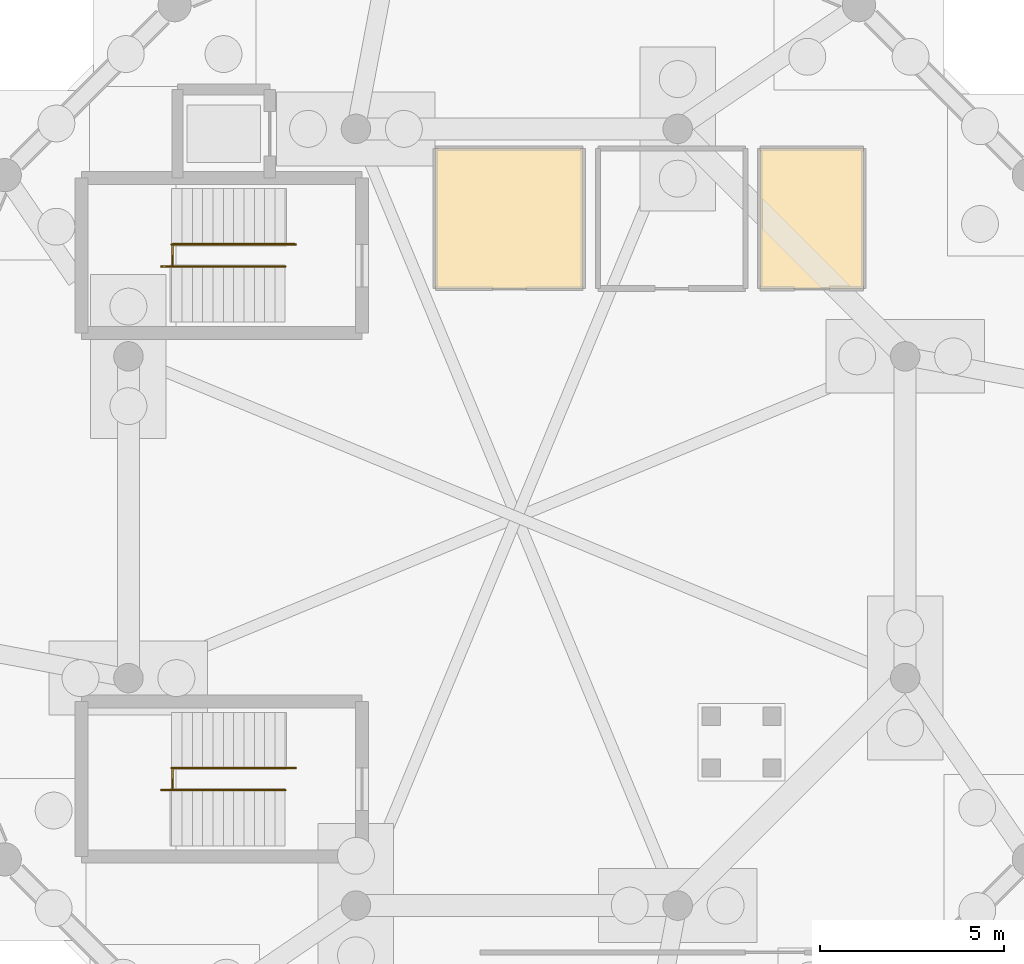
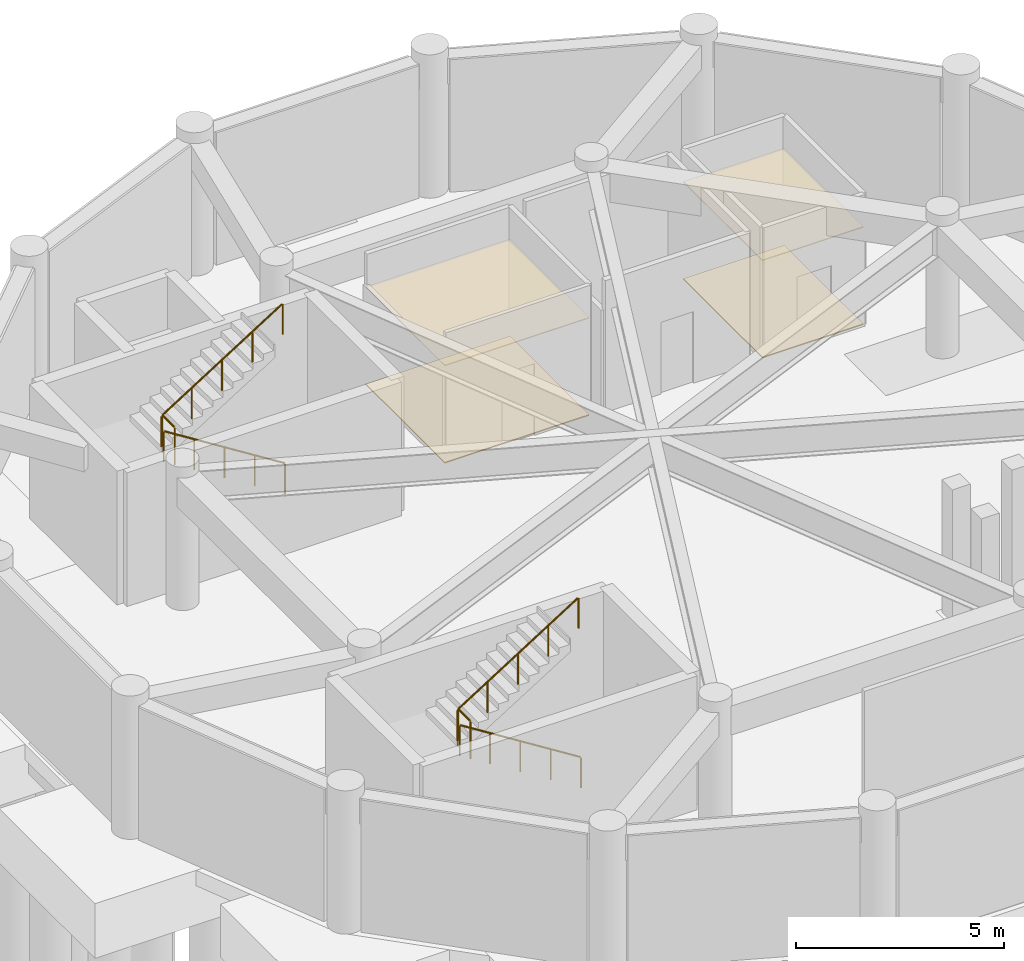
# One storey, part 35 of 38: 6 railings, 4 coverings.
"""IFC4 building model written with IfcOpenShell, lengths in metres."""

from ifc_helpers import new_model, si_unit, direction, frame, origin, origin_2d, place, context, subcontext, project, spatial, polyline, circle, outline, extrude, material, layer, layer_set, type_object, element, save


model = new_model("IFC4")

# Units and contexts
model_context = context("Model", 3, precision=1e-05, world=origin(), true_north=direction((0.0, 1.0)))
body_context = subcontext(model_context, "Body", "Model", "MODEL_VIEW")
ifc_project = project(units=[si_unit("LENGTHUNIT", "METRE"), si_unit("AREAUNIT", "SQUARE_METRE"), si_unit("VOLUMEUNIT", "CUBIC_METRE"), si_unit("PLANEANGLEUNIT", "RADIAN"), si_unit("MASSUNIT", "GRAM", prefix="KILO"), si_unit("THERMODYNAMICTEMPERATUREUNIT", "KELVIN"), si_unit("POWERUNIT", "WATT")], contexts=[model_context])

# Site, building, storey
site_placement = place(None, origin())
site = spatial("IfcSite", under=ifc_project, at=site_placement, CompositionType="ELEMENT")
building_placement = place(site_placement, origin())
building = spatial("IfcBuilding", under=site, at=building_placement, Name="Darbajah Civic Hall", CompositionType="ELEMENT")
storey_placement = place(building_placement, frame((0.0, 0.0, -4.199951171875)))
storey = spatial("IfcBuildingStorey", under=building, at=storey_placement, Name="B01", CompositionType="ELEMENT", Elevation=-4.199951171875)

# Railings
ifc_material_1 = material(Name="Brushed Bronze Stainless Steel", Category="steel")
railing_type_1 = type_object("IfcRailingType", Name="Brushed Bronze Handrail", PredefinedType="HANDRAIL", material=ifc_material_1)
railing_1_placement = place(storey_placement, frame((10.52001953125, 88.39990234375, 0.175048828125)))
element("IfcRailing", 1, at=railing_1_placement, inside=storey, type_object=railing_type_1, Name="ST04 B01 lower flight handrail", PredefinedType="HANDRAIL", context=body_context, shape_type="SweptSolid", body=[
    extrude(circle(Radius=0.02392578125, at=origin_2d()), frame((-0.023193359375, 0.0, 0.910400390625), z_axis=(-0.845972016735, 0.0, 0.533227293844), x_axis=(0.0, -1.0, 0.0)), (0.0, 0.0, 1.0), 3.917236328125),
    extrude(circle(Radius=0.02099609375, at=origin_2d()), origin(), (0.0, 0.0, 1.0), 0.867919921875),
    extrude(circle(Radius=0.02099609375, at=origin_2d()), frame((-0.840087890625, 0.0, 0.529541015625)), (0.0, 0.0, 1.0), 0.867919921875),
    extrude(circle(Radius=0.02099609375, at=origin_2d()), frame((-1.68017578125, 0.0, 1.05908203125)), (0.0, 0.0, 1.0), 0.867919921875),
    extrude(circle(Radius=0.02099609375, at=origin_2d()), frame((-2.52001953125, 0.0, 1.58837890625)), (0.0, 0.0, 1.0), 0.867919921875),
    extrude(circle(Radius=0.02099609375, at=origin_2d()), frame((-3.360107421875, 0.0, 2.117919921875)), (0.0, 0.0, 1.0), 0.867919921875),
])
railing_2_placement = place(storey_placement, frame((7.43994140625, 89.0, 2.27490234375)))
element("IfcRailing", 2, at=railing_2_placement, inside=storey, type_object=railing_type_1, Name="ST04 B01 upper flight handrail", PredefinedType="HANDRAIL", context=body_context, shape_type="SweptSolid", body=[
    extrude(circle(Radius=0.02392578125, at=origin_2d()), frame((0.023193359375, 0.0, 0.910400390625), z_axis=(0.845944288966, 0.0, 0.533271281775), x_axis=(0.0, 1.0, 0.0)), (0.0, 0.0, 1.0), 3.91748046875),
    extrude(circle(Radius=0.02099609375, at=origin_2d()), origin(), (0.0, 0.0, 1.0), 0.867919921875),
    extrude(circle(Radius=0.02099609375, at=origin_2d()), frame((0.840087890625, 0.0, 0.529541015625)), (0.0, 0.0, 1.0), 0.867919921875),
    extrude(circle(Radius=0.02099609375, at=origin_2d()), frame((1.68017578125, 0.0, 1.05908203125)), (0.0, 0.0, 1.0), 0.867919921875),
    extrude(circle(Radius=0.02099609375, at=origin_2d()), frame((2.52001953125, 0.0, 1.588623046875)), (0.0, 0.0, 1.0), 0.867919921875),
    extrude(circle(Radius=0.02099609375, at=origin_2d()), frame((3.360107421875, 0.0, 2.1181640625)), (0.0, 0.0, 1.0), 0.867919921875),
])
railing_3_placement = place(storey_placement, frame((10.52001953125, 74.199951171875, 0.175048828125)))
element("IfcRailing", 3, at=railing_3_placement, inside=storey, type_object=railing_type_1, Name="ST05 B01 lower flight handrail", PredefinedType="HANDRAIL", context=body_context, shape_type="SweptSolid", body=[
    extrude(circle(Radius=0.02392578125, at=origin_2d()), frame((-0.023193359375, 0.0, 0.910400390625), z_axis=(-0.845972016735, 0.0, 0.533227293844), x_axis=(0.0, -1.0, 0.0)), (0.0, 0.0, 1.0), 3.917236328125),
    extrude(circle(Radius=0.02099609375, at=origin_2d()), origin(), (0.0, 0.0, 1.0), 0.867919921875),
    extrude(circle(Radius=0.02099609375, at=origin_2d()), frame((-0.840087890625, 0.0, 0.529541015625)), (0.0, 0.0, 1.0), 0.867919921875),
    extrude(circle(Radius=0.02099609375, at=origin_2d()), frame((-1.68017578125, 0.0, 1.05908203125)), (0.0, 0.0, 1.0), 0.867919921875),
    extrude(circle(Radius=0.02099609375, at=origin_2d()), frame((-2.52001953125, 0.0, 1.58837890625)), (0.0, 0.0, 1.0), 0.867919921875),
    extrude(circle(Radius=0.02099609375, at=origin_2d()), frame((-3.360107421875, 0.0, 2.117919921875)), (0.0, 0.0, 1.0), 0.867919921875),
])
railing_4_placement = place(storey_placement, frame((7.43994140625, 74.800048828125, 2.27490234375)))
element("IfcRailing", 4, at=railing_4_placement, inside=storey, type_object=railing_type_1, Name="ST05 B01 upper flight handrail", PredefinedType="HANDRAIL", context=body_context, shape_type="SweptSolid", body=[
    extrude(circle(Radius=0.02392578125, at=origin_2d()), frame((0.023193359375, 0.0, 0.910400390625), z_axis=(0.845944288966, 0.0, 0.533271281775), x_axis=(0.0, 1.0, 0.0)), (0.0, 0.0, 1.0), 3.91748046875),
    extrude(circle(Radius=0.02099609375, at=origin_2d()), origin(), (0.0, 0.0, 1.0), 0.867919921875),
    extrude(circle(Radius=0.02099609375, at=origin_2d()), frame((0.840087890625, 0.0, 0.529541015625)), (0.0, 0.0, 1.0), 0.867919921875),
    extrude(circle(Radius=0.02099609375, at=origin_2d()), frame((1.68017578125, 0.0, 1.05908203125)), (0.0, 0.0, 1.0), 0.867919921875),
    extrude(circle(Radius=0.02099609375, at=origin_2d()), frame((2.52001953125, 0.0, 1.588623046875)), (0.0, 0.0, 1.0), 0.867919921875),
    extrude(circle(Radius=0.02099609375, at=origin_2d()), frame((3.360107421875, 0.0, 2.1181640625)), (0.0, 0.0, 1.0), 0.867919921875),
])

# Coverings
ifc_material_2 = material(Name="Honed Qatari Limestone Terrazzo", Category="masonry")
ifc_layer_1 = layer(ifc_material_2, 0.030029296875, Name="Honed Qatari Limestone Terrazzo")
ifc_layer_set_1 = layer_set([ifc_layer_1], Name="Honed Qatari Limestone Terrazzo")
covering_type_1 = type_object("IfcCoveringType", Name="Honed Qatari Limestone Terrazzo Flooring", PredefinedType="FLOORING", material=ifc_layer_set_1)
covering_1_placement = place(storey_placement, origin())
element("IfcCovering", 5, at=covering_1_placement, inside=storey, type_object=covering_type_1, Name="B01 stone terrazzo flooring B01-WC1", PredefinedType="FLOORING", context=body_context, shape_type="SweptSolid", body=[
    extrude(outline(polyline([(14.60009765625, 87.800048828125), (18.60009765625, 87.800048828125), (18.60009765625, 91.60009765625), (14.60009765625, 91.60009765625), (14.60009765625, 87.800048828125)])), origin(), (0.0, 0.0, 1.0), 0.030029296875),
])
covering_2_placement = place(storey_placement, origin())
element("IfcCovering", 6, at=covering_2_placement, inside=storey, type_object=covering_type_1, Name="B01 stone terrazzo flooring B01-WCA", PredefinedType="FLOORING", context=body_context, shape_type="SweptSolid", body=[
    extrude(outline(polyline([(23.39990234375, 87.800048828125), (26.199951171875, 87.800048828125), (26.199951171875, 91.60009765625), (23.39990234375, 91.60009765625), (23.39990234375, 87.800048828125)])), origin(), (0.0, 0.0, 1.0), 0.030029296875),
])

# Railings
ifc_material_3 = material(Name="Brushed Bronze and Laminated Safety Glass", Category="glass")
railing_type_2 = type_object("IfcRailingType", Name="Interior Guard Balustrade", PredefinedType="BALUSTRADE", material=ifc_material_3)
for number, where, name in (
    (7, (7.4599609375, 88.39990234375, 2.099853515625), "ST04 B01 landing well guard"),
    (8, (7.4599609375, 74.199951171875, 2.099853515625), "ST05 B01 landing well guard"),
):
    element("IfcRailing", number, at=place(storey_placement, frame(where)), inside=storey, type_object=railing_type_2, Name=name, PredefinedType="BALUSTRADE", context=body_context, shape_type="SweptSolid", body=[
        extrude(circle(Radius=0.02392578125, at=origin_2d()), frame((0.0, 0.02734375, 1.09619140625), z_axis=(0.0, 1.0, 0.0), x_axis=(-1.0, 0.0, 0.0)), (0.0, 0.0, 1.0), 0.54541015625),
        extrude(circle(Radius=0.02099609375, at=origin_2d()), origin(), (0.0, 0.0, 1.0), 1.068115234375),
        extrude(circle(Radius=0.02099609375, at=origin_2d()), frame((0.0, 0.60009765625, 0.0)), (0.0, 0.0, 1.0), 1.068115234375),
    ])

# Coverings
ifc_material_4 = material(Name="Perforated Acoustic Gypsum Board")
ifc_layer_2 = layer(ifc_material_4, 0.02490234375, Name="Perforated Acoustic Gypsum Board")
ifc_layer_set_2 = layer_set([ifc_layer_2], Name="Perforated Acoustic Gypsum Board")
covering_type_2 = type_object("IfcCoveringType", Name="Perforated Acoustic Gypsum Ceiling", PredefinedType="CEILING", material=ifc_layer_set_2)
covering_3_placement = place(storey_placement, frame((0.0, 0.0, 2.849853515625)))
element("IfcCovering", 9, at=covering_3_placement, inside=storey, type_object=covering_type_2, Name="B01 acoustic suspended ceiling B01-WC1", PredefinedType="CEILING", context=body_context, shape_type="SweptSolid", body=[
    extrude(outline(polyline([(14.60009765625, 87.800048828125), (18.60009765625, 87.800048828125), (18.60009765625, 91.60009765625), (14.60009765625, 91.60009765625), (14.60009765625, 87.800048828125)])), origin(), (0.0, 0.0, 1.0), 0.025146484375),
])
covering_4_placement = place(storey_placement, frame((0.0, 0.0, 2.849853515625)))
element("IfcCovering", 10, at=covering_4_placement, inside=storey, type_object=covering_type_2, Name="B01 acoustic suspended ceiling B01-WCA", PredefinedType="CEILING", context=body_context, shape_type="SweptSolid", body=[
    extrude(outline(polyline([(23.39990234375, 87.800048828125), (26.199951171875, 87.800048828125), (26.199951171875, 91.60009765625), (23.39990234375, 91.60009765625), (23.39990234375, 87.800048828125)])), origin(), (0.0, 0.0, 1.0), 0.025146484375),
])

save(model, "model.ifc")
